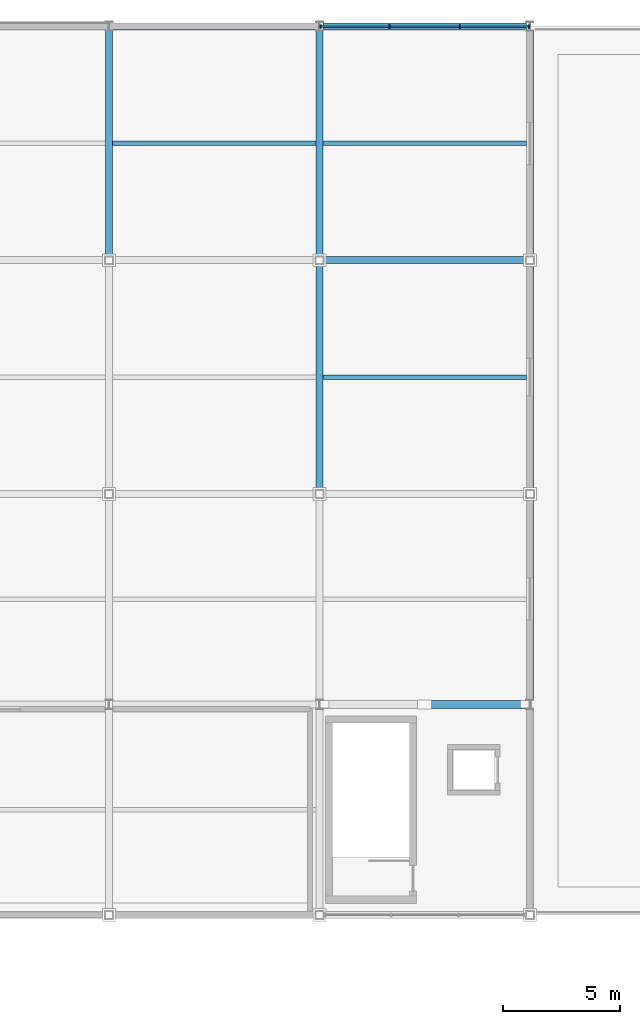
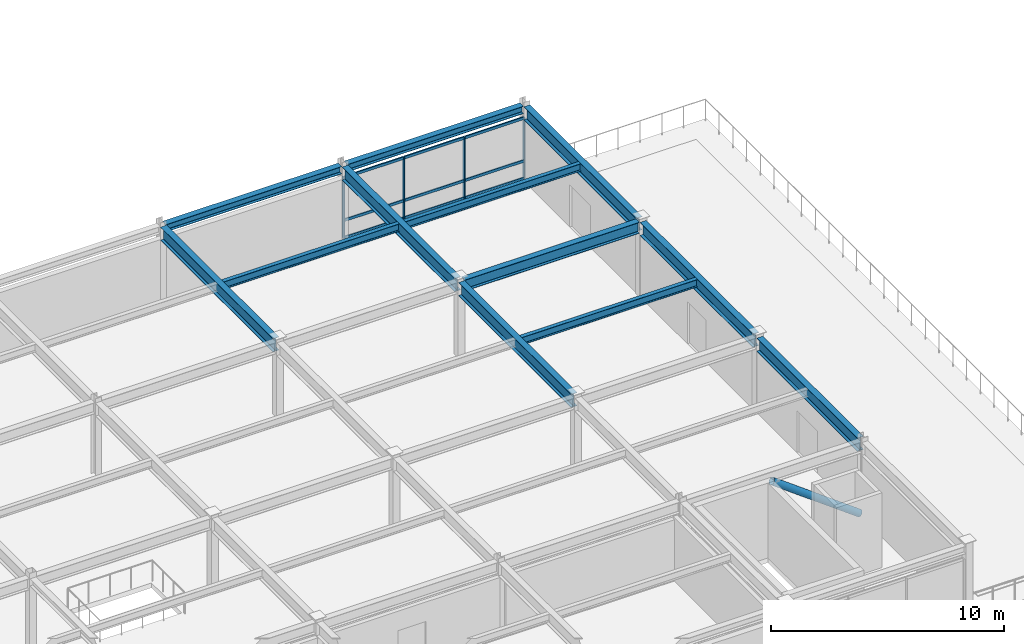
# One storey, part 25 of 40: 14 members, 12 beams, 1 element without a shape of its own.
"""IFC4 building model written with IfcOpenShell, lengths in metres."""

from ifc_helpers import new_model, si_unit, direction, frame, origin, origin_2d, place, context, subcontext, project, spatial, rectangle, hollow_circle, i_section, extrude, material, material_profile, profile_set, type_object, element, aggregate, save


model = new_model("IFC4")

# Units and contexts
model_context = context("Model", 3, precision=1e-05, world=origin(), true_north=direction((0.0, 1.0)))
body_context = subcontext(model_context, "Body", "Model", "MODEL_VIEW")
ifc_project = project(units=[si_unit("LENGTHUNIT", "METRE"), si_unit("AREAUNIT", "SQUARE_METRE"), si_unit("VOLUMEUNIT", "CUBIC_METRE"), si_unit("PLANEANGLEUNIT", "RADIAN"), si_unit("MASSUNIT", "GRAM", prefix="KILO")], contexts=[model_context])

# Site, building, storey
site_placement = place(None, origin())
site = spatial("IfcSite", under=ifc_project, at=site_placement, CompositionType="ELEMENT")
building_placement = place(site_placement, origin())
building = spatial("IfcBuilding", under=site, at=building_placement, Name="Suzunagisa Mobility Hub", CompositionType="ELEMENT")
storey_placement = place(building_placement, frame((0.0, 0.0, 21.89990234375)))
storey = spatial("IfcBuildingStorey", under=building, at=storey_placement, Name="L05", CompositionType="ELEMENT", Elevation=21.89990234375)

# Curtain wall, members
ifc_material_1 = material(Name="Thermally Broken Anodized Aluminum and Low-E Glazing", Category="aluminium")
curtain_wall_type = type_object("IfcCurtainWallType", Name="Unitised Curtain Wall CW-33 9000x3200", PredefinedType="USERDEFINED", material=ifc_material_1)
curtain_wall_placement = place(storey_placement, origin())
curtain_wall = element("IfcCurtainWall", 1, at=curtain_wall_placement, inside=storey, type_object=curtain_wall_type, Name="L05 Unitised Curtain Wall CW-137", ObjectType="UNITISED CURTAIN WALL", PredefinedType="USERDEFINED")
ifc_material_2 = material(Name="Anodized Aluminum 6063-T6", Category="aluminium")
ifc_material_profile_1 = material_profile(ifc_material_2, rectangle(XDim=0.06494140625, YDim=0.139892578125, at=origin_2d()), Name="TRAN-65x140")
ifc_profile_set_1 = profile_set([ifc_material_profile_1], Name="Anodized Aluminum 6063-T6")
member_type_1 = type_object("IfcMemberType", Name="Curtain Wall Framing CM-01 TRAN-65x140", PredefinedType="USERDEFINED", material=ifc_profile_set_1)
member_1_placement = place(storey_placement, frame((98.9375, 118.0, 0.03271484375), z_axis=(-1.0, 0.0, 0.0), x_axis=(0.0, -1.0, 0.0)))
member_1 = element("IfcMember", 2, at=member_1_placement, type_object=member_type_1, Name="Curtain Wall Transom 137-T1.1", ObjectType="TRANSOM", PredefinedType="USERDEFINED", context=body_context, shape_type="SweptSolid", body=[
    extrude(rectangle(XDim=0.06494140625, YDim=0.139892578125, at=origin_2d()), origin(), (0.0, 0.0, 1.0), 2.910888671875),
])
member_2_placement = place(storey_placement, frame((98.9375, 118.0, 0.9501953125), z_axis=(-1.0, 0.0, 0.0), x_axis=(0.0, -1.0, 0.0)))
member_2 = element("IfcMember", 3, at=member_2_placement, type_object=member_type_1, Name="Curtain Wall Transom 137-T1.2", ObjectType="TRANSOM", PredefinedType="USERDEFINED", context=body_context, shape_type="SweptSolid", body=[
    extrude(rectangle(XDim=0.06494140625, YDim=0.139892578125, at=origin_2d()), origin(), (0.0, 0.0, 1.0), 2.910888671875),
])
member_3_placement = place(storey_placement, frame((98.9375, 118.0, 3.1875), z_axis=(-1.0, 0.0, 0.0), x_axis=(0.0, -1.0, 0.0)))
member_3 = element("IfcMember", 4, at=member_3_placement, type_object=member_type_1, Name="Curtain Wall Transom 137-T1.3", ObjectType="TRANSOM", PredefinedType="USERDEFINED", context=body_context, shape_type="SweptSolid", body=[
    extrude(rectangle(XDim=0.06494140625, YDim=0.139892578125, at=origin_2d()), origin(), (0.0, 0.0, 1.0), 2.910888671875),
])
member_4_placement = place(storey_placement, frame((95.970458984375, 118.0, 0.03271484375), z_axis=(-1.0, 0.0, 0.0), x_axis=(0.0, -1.0, 0.0)))
member_4 = element("IfcMember", 5, at=member_4_placement, type_object=member_type_1, Name="Curtain Wall Transom 137-T2.1", ObjectType="TRANSOM", PredefinedType="USERDEFINED", context=body_context, shape_type="SweptSolid", body=[
    extrude(rectangle(XDim=0.06494140625, YDim=0.139892578125, at=origin_2d()), origin(), (0.0, 0.0, 1.0), 2.94091796875),
])
member_5_placement = place(storey_placement, frame((95.970458984375, 118.0, 0.9501953125), z_axis=(-1.0, 0.0, 0.0), x_axis=(0.0, -1.0, 0.0)))
member_5 = element("IfcMember", 6, at=member_5_placement, type_object=member_type_1, Name="Curtain Wall Transom 137-T2.2", ObjectType="TRANSOM", PredefinedType="USERDEFINED", context=body_context, shape_type="SweptSolid", body=[
    extrude(rectangle(XDim=0.06494140625, YDim=0.139892578125, at=origin_2d()), origin(), (0.0, 0.0, 1.0), 2.94091796875),
])
member_6_placement = place(storey_placement, frame((95.970458984375, 118.0, 3.1875), z_axis=(-1.0, 0.0, 0.0), x_axis=(0.0, -1.0, 0.0)))
member_6 = element("IfcMember", 7, at=member_6_placement, type_object=member_type_1, Name="Curtain Wall Transom 137-T2.3", ObjectType="TRANSOM", PredefinedType="USERDEFINED", context=body_context, shape_type="SweptSolid", body=[
    extrude(rectangle(XDim=0.06494140625, YDim=0.139892578125, at=origin_2d()), origin(), (0.0, 0.0, 1.0), 2.94091796875),
])
member_7_placement = place(storey_placement, frame((92.973388671875, 118.0, 0.03271484375), z_axis=(-1.0, 0.0, 0.0), x_axis=(0.0, -1.0, 0.0)))
member_7 = element("IfcMember", 8, at=member_7_placement, type_object=member_type_1, Name="Curtain Wall Transom 137-T3.1", ObjectType="TRANSOM", PredefinedType="USERDEFINED", context=body_context, shape_type="SweptSolid", body=[
    extrude(rectangle(XDim=0.06494140625, YDim=0.139892578125, at=origin_2d()), origin(), (0.0, 0.0, 1.0), 2.910888671875),
])
member_8_placement = place(storey_placement, frame((92.973388671875, 118.0, 0.9501953125), z_axis=(-1.0, 0.0, 0.0), x_axis=(0.0, -1.0, 0.0)))
member_8 = element("IfcMember", 9, at=member_8_placement, type_object=member_type_1, Name="Curtain Wall Transom 137-T3.2", ObjectType="TRANSOM", PredefinedType="USERDEFINED", context=body_context, shape_type="SweptSolid", body=[
    extrude(rectangle(XDim=0.06494140625, YDim=0.139892578125, at=origin_2d()), origin(), (0.0, 0.0, 1.0), 2.910888671875),
])
member_9_placement = place(storey_placement, frame((92.973388671875, 118.0, 3.1875), z_axis=(-1.0, 0.0, 0.0), x_axis=(0.0, -1.0, 0.0)))
member_9 = element("IfcMember", 10, at=member_9_placement, type_object=member_type_1, Name="Curtain Wall Transom 137-T3.3", ObjectType="TRANSOM", PredefinedType="USERDEFINED", context=body_context, shape_type="SweptSolid", body=[
    extrude(rectangle(XDim=0.06494140625, YDim=0.139892578125, at=origin_2d()), origin(), (0.0, 0.0, 1.0), 2.910888671875),
])
ifc_material_profile_2 = material_profile(ifc_material_2, rectangle(XDim=0.06005859375, YDim=0.14990234375, at=origin_2d()), Name="MULL-60x150")
ifc_profile_set_2 = profile_set([ifc_material_profile_2], Name="Anodized Aluminum 6063-T6")
member_type_2 = type_object("IfcMemberType", Name="Curtain Wall Framing CM-03 MULL-60x150", PredefinedType="MULLION", material=ifc_profile_set_2)
member_10_placement = place(storey_placement, frame((98.965576171875, 118.0, 0.0), z_axis=(0.0, 0.0, 1.0), x_axis=(-1.0, 0.0, 0.0)))
member_10 = element("IfcMember", 11, at=member_10_placement, type_object=member_type_2, Name="Curtain Wall Mullion 137-M1", PredefinedType="MULLION", context=body_context, shape_type="SweptSolid", body=[
    extrude(rectangle(XDim=0.06005859375, YDim=0.14990234375, at=origin_2d()), origin(), (0.0, 0.0, 1.0), 3.22021484375),
])
member_11_placement = place(storey_placement, frame((95.99853515625, 118.0, 0.0), z_axis=(0.0, 0.0, 1.0), x_axis=(-1.0, 0.0, 0.0)))
member_11 = element("IfcMember", 12, at=member_11_placement, type_object=member_type_2, Name="Curtain Wall Mullion 137-M2", PredefinedType="MULLION", context=body_context, shape_type="SweptSolid", body=[
    extrude(rectangle(XDim=0.06005859375, YDim=0.14990234375, at=origin_2d()), origin(), (0.0, 0.0, 1.0), 3.22021484375),
])
member_12_placement = place(storey_placement, frame((93.00146484375, 118.0, 0.0), z_axis=(0.0, 0.0, 1.0), x_axis=(-1.0, 0.0, 0.0)))
member_12 = element("IfcMember", 13, at=member_12_placement, type_object=member_type_2, Name="Curtain Wall Mullion 137-M3", PredefinedType="MULLION", context=body_context, shape_type="SweptSolid", body=[
    extrude(rectangle(XDim=0.06005859375, YDim=0.14990234375, at=origin_2d()), origin(), (0.0, 0.0, 1.0), 3.22021484375),
])
member_13_placement = place(storey_placement, frame((90.034423828125, 118.0, 0.0), z_axis=(0.0, 0.0, 1.0), x_axis=(-1.0, 0.0, 0.0)))
member_13 = element("IfcMember", 14, at=member_13_placement, type_object=member_type_2, Name="Curtain Wall Mullion 137-M4", PredefinedType="MULLION", context=body_context, shape_type="SweptSolid", body=[
    extrude(rectangle(XDim=0.06005859375, YDim=0.14990234375, at=origin_2d()), origin(), (0.0, 0.0, 1.0), 3.22021484375),
])
aggregate(curtain_wall, [member_10, member_11, member_12, member_13, member_1, member_2, member_3, member_4, member_5, member_6, member_7, member_8, member_9])

# Member
ifc_material_3 = material(Name="Steel SN490B", Category="steel")
ifc_material_profile_3 = material_profile(ifc_material_3, hollow_circle(Radius=0.177734375, WallThickness=0.0126953125, at=origin_2d()), Name="CHS-355.6x12.7")
ifc_profile_set_3 = profile_set([ifc_material_profile_3], Name="Steel SN490B")
member_type_3 = type_object("IfcMemberType", Name="Roof Truss and Brace Member MB-03 CHS-355.6x12.7", PredefinedType="BRACE", material=ifc_profile_set_3)
member_14_placement = place(storey_placement, frame((98.830078125, 89.0, 0.1201171875), z_axis=(-0.804397588091, 0.0, 0.594091340009), x_axis=(0.0, -1.0, 0.0)))
element("IfcMember", 15, at=member_14_placement, inside=storey, type_object=member_type_3, Name="L05 Concentric Lateral Brace BR-50", PredefinedType="BRACE", context=body_context, shape_type="SweptSolid", body=[
    extrude(hollow_circle(Radius=0.177734375, WallThickness=0.0126953125, at=origin_2d()), origin(), (0.0, 0.0, 1.0), 5.383056640625),
])

# Beams
ifc_material_profile_4 = material_profile(ifc_material_3, i_section(OverallWidth=0.300048828125, OverallDepth=0.699951171875, WebThickness=0.012939453125, FlangeThickness=0.02392578125, FilletRadius=0.01806640625, at=origin_2d()), Name="H-700x300x13x24")
ifc_profile_set_4 = profile_set([ifc_material_profile_4], Name="Steel SN490B")
beam_type_1 = type_object("IfcBeamType", Name="Steel Beam BM-11 H-700x300x13x24", PredefinedType="BEAM", material=ifc_profile_set_4)
beam_1_placement = place(storey_placement, frame((81.0, 108.1708984375, 3.570068359375), z_axis=(0.0, 1.0, 0.0), x_axis=(-1.0, 0.0, 0.0)))
element("IfcBeam", 16, at=beam_1_placement, inside=storey, type_object=beam_type_1, Name="L05 Primary Girder GY-1278", PredefinedType="BEAM", context=body_context, shape_type="SweptSolid", body=[
    extrude(i_section(OverallWidth=0.300048828125, OverallDepth=0.699951171875, WebThickness=0.012939453125, FlangeThickness=0.02392578125, FilletRadius=0.01806640625, at=origin_2d()), origin(), (0.0, 0.0, 1.0), 9.63818359375),
])
beam_2_placement = place(storey_placement, frame((90.0, 98.1708984375, 3.570068359375), z_axis=(0.0, 1.0, 0.0), x_axis=(-1.0, 0.0, 0.0)))
element("IfcBeam", 17, at=beam_2_placement, inside=storey, type_object=beam_type_1, Name="L05 Primary Girder GY-1281", PredefinedType="BEAM", context=body_context, shape_type="SweptSolid", body=[
    extrude(i_section(OverallWidth=0.300048828125, OverallDepth=0.699951171875, WebThickness=0.012939453125, FlangeThickness=0.02392578125, FilletRadius=0.01806640625, at=origin_2d()), origin(), (0.0, 0.0, 1.0), 9.658203125),
])
beam_3_placement = place(storey_placement, frame((90.0, 108.1708984375, 3.570068359375), z_axis=(0.0, 1.0, 0.0), x_axis=(-1.0, 0.0, 0.0)))
element("IfcBeam", 18, at=beam_3_placement, inside=storey, type_object=beam_type_1, Name="L05 Primary Girder GY-1282", PredefinedType="BEAM", context=body_context, shape_type="SweptSolid", body=[
    extrude(i_section(OverallWidth=0.300048828125, OverallDepth=0.699951171875, WebThickness=0.012939453125, FlangeThickness=0.02392578125, FilletRadius=0.01806640625, at=origin_2d()), origin(), (0.0, 0.0, 1.0), 9.63818359375),
])
beam_4_placement = place(storey_placement, frame((99.0, 89.19091796875, 3.570068359375), z_axis=(0.0, 1.0, 0.0), x_axis=(-1.0, 0.0, 0.0)))
element("IfcBeam", 19, at=beam_4_placement, inside=storey, type_object=beam_type_1, Name="L05 Primary Girder GY-1284", PredefinedType="BEAM", context=body_context, shape_type="SweptSolid", body=[
    extrude(i_section(OverallWidth=0.300048828125, OverallDepth=0.699951171875, WebThickness=0.012939453125, FlangeThickness=0.02392578125, FilletRadius=0.01806640625, at=origin_2d()), origin(), (0.0, 0.0, 1.0), 8.63818359375),
])
beam_5_placement = place(storey_placement, frame((99.0, 98.1708984375, 3.570068359375), z_axis=(0.0, 1.0, 0.0), x_axis=(-1.0, 0.0, 0.0)))
element("IfcBeam", 20, at=beam_5_placement, inside=storey, type_object=beam_type_1, Name="L05 Primary Girder GY-1285", PredefinedType="BEAM", context=body_context, shape_type="SweptSolid", body=[
    extrude(i_section(OverallWidth=0.300048828125, OverallDepth=0.699951171875, WebThickness=0.012939453125, FlangeThickness=0.02392578125, FilletRadius=0.01806640625, at=origin_2d()), origin(), (0.0, 0.0, 1.0), 9.658203125),
])
beam_6_placement = place(storey_placement, frame((99.0, 108.1708984375, 3.570068359375), z_axis=(0.0, 1.0, 0.0), x_axis=(-1.0, 0.0, 0.0)))
element("IfcBeam", 21, at=beam_6_placement, inside=storey, type_object=beam_type_1, Name="L05 Primary Girder GY-1286", PredefinedType="BEAM", context=body_context, shape_type="SweptSolid", body=[
    extrude(i_section(OverallWidth=0.300048828125, OverallDepth=0.699951171875, WebThickness=0.012939453125, FlangeThickness=0.02392578125, FilletRadius=0.01806640625, at=origin_2d()), origin(), (0.0, 0.0, 1.0), 9.63818359375),
])
ifc_material_profile_5 = material_profile(ifc_material_3, i_section(OverallWidth=0.300048828125, OverallDepth=0.389892578125, WebThickness=0.010009765625, FlangeThickness=0.01611328125, FilletRadius=0.012939453125, at=origin_2d()), Name="H-390x300x10x16")
ifc_profile_set_5 = profile_set([ifc_material_profile_5], Name="Steel SN490B")
beam_type_2 = type_object("IfcBeamType", Name="Steel Beam BM-13 H-390x300x10x16", PredefinedType="SPANDREL", material=ifc_profile_set_5)
for number, where, z_axis, x_axis, name in (
    (22, (81.14599609375, 118.0, 3.72509765625), (1.0, 0.0, 0.0), (0.0, 1.0, 0.0), "L05 Primary Girder GX-1267"),
    (23, (90.14599609375, 118.0, 3.72509765625), (1.0, 0.0, 0.0), (0.0, 1.0, 0.0), "L05 Primary Girder GX-1268"),
):
    element("IfcBeam", number, at=place(storey_placement, frame(where, z_axis=z_axis, x_axis=x_axis)), inside=storey, type_object=beam_type_2, Name=name, PredefinedType="SPANDREL", context=body_context, shape_type="SweptSolid", body=[
        extrude(i_section(OverallWidth=0.300048828125, OverallDepth=0.389892578125, WebThickness=0.010009765625, FlangeThickness=0.01611328125, FilletRadius=0.012939453125, at=origin_2d()), origin(), (0.0, 0.0, 1.0), 8.7080078125),
    ])
ifc_material_4 = material(Name="Steel SN400B", Category="steel")
ifc_material_profile_6 = material_profile(ifc_material_4, i_section(OverallWidth=0.199951171875, OverallDepth=0.39990234375, WebThickness=0.008056640625, FlangeThickness=0.012939453125, FilletRadius=0.012939453125, at=origin_2d()), Name="H-400x200x8x13")
ifc_profile_set_6 = profile_set([ifc_material_profile_6], Name="Steel SN400B")
beam_type_3 = type_object("IfcBeamType", Name="Steel Beam BM-14 H-400x200x8x13", PredefinedType="JOIST", material=ifc_profile_set_6)
for number, where, z_axis, x_axis, name in (
    (24, (81.14990234375, 113.0, 3.72021484375), (1.0, 0.0, 0.0), (0.0, 1.0, 0.0), "L05 Composite Floor Joist J-1298"),
    (25, (90.14990234375, 103.0, 3.72021484375), (1.0, 0.0, 0.0), (0.0, 1.0, 0.0), "L05 Composite Floor Joist J-1300"),
    (26, (90.14990234375, 113.0, 3.72021484375), (1.0, 0.0, 0.0), (0.0, 1.0, 0.0), "L05 Composite Floor Joist J-1301"),
):
    element("IfcBeam", number, at=place(storey_placement, frame(where, z_axis=z_axis, x_axis=x_axis)), inside=storey, type_object=beam_type_3, Name=name, PredefinedType="JOIST", context=body_context, shape_type="SweptSolid", body=[
        extrude(i_section(OverallWidth=0.199951171875, OverallDepth=0.39990234375, WebThickness=0.008056640625, FlangeThickness=0.012939453125, FilletRadius=0.012939453125, at=origin_2d()), origin(), (0.0, 0.0, 1.0), 8.7001953125),
    ])
ifc_material_profile_7 = material_profile(ifc_material_3, i_section(OverallWidth=0.300048828125, OverallDepth=0.587890625, WebThickness=0.011962890625, FlangeThickness=0.02001953125, FilletRadius=0.012939453125, at=origin_2d()), Name="H-588x300x12x20")
ifc_profile_set_7 = profile_set([ifc_material_profile_7], Name="Steel SN490B")
beam_type_4 = type_object("IfcBeamType", Name="Steel Beam BM-16 H-588x300x12x20", PredefinedType="BEAM", material=ifc_profile_set_7)
beam_7_placement = place(storey_placement, frame((90.1708984375, 108.0, 3.6259765625), z_axis=(1.0, 0.0, 0.0), x_axis=(0.0, 1.0, 0.0)))
element("IfcBeam", 27, at=beam_7_placement, inside=storey, type_object=beam_type_4, Name="L05 Primary Girder GX-1264", PredefinedType="BEAM", context=body_context, shape_type="SweptSolid", body=[
    extrude(i_section(OverallWidth=0.300048828125, OverallDepth=0.587890625, WebThickness=0.011962890625, FlangeThickness=0.02001953125, FilletRadius=0.012939453125, at=origin_2d()), origin(), (0.0, 0.0, 1.0), 8.658203125),
])

save(model, "model.ifc")
